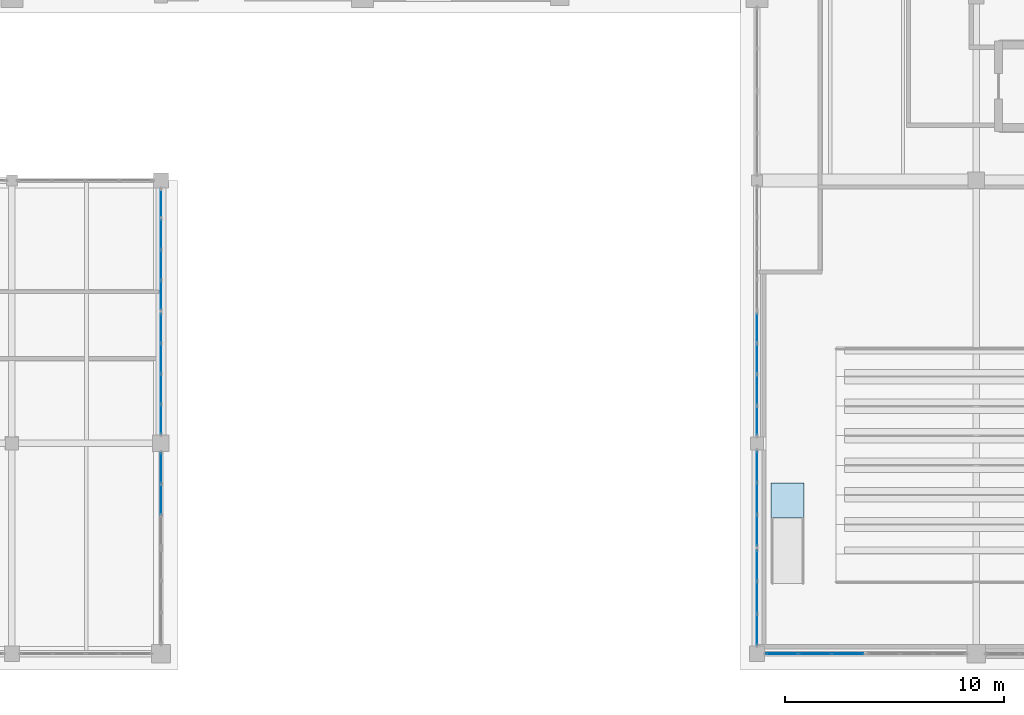
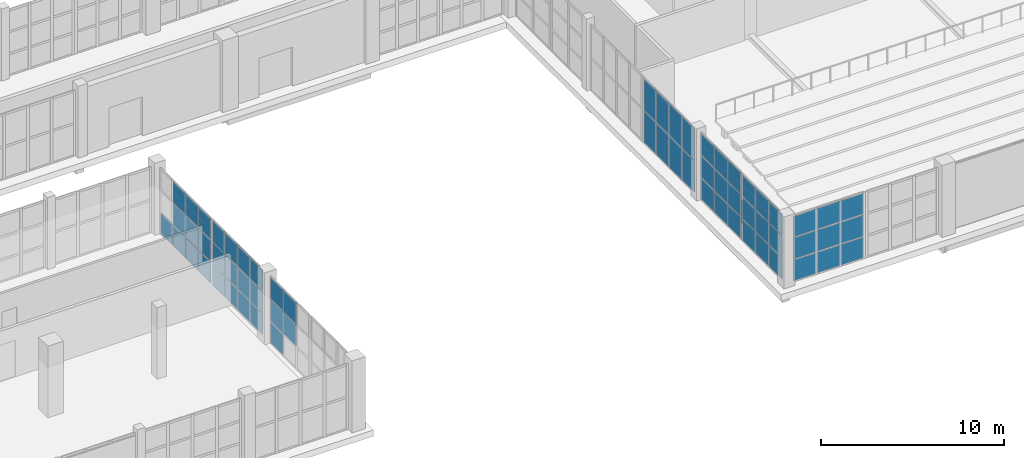
# One storey, part 87 of 121: 62 plates, 1 slab, 8 elements without a shape of their own.
"""IFC4 building model written with IfcOpenShell, lengths in metres."""

from ifc_helpers import new_model, si_unit, direction, frame, origin, origin_2d, place, context, subcontext, project, spatial, polyline, rectangle, outline, extrude, material, layer, layer_set, type_object, element, aggregate, save


model = new_model("IFC4")

# Units and contexts
model_context = context("Model", 3, precision=1e-05, world=origin(), true_north=direction((0.0, 1.0)))
body_context = subcontext(model_context, "Body", "Model", "MODEL_VIEW")
ifc_project = project(units=[si_unit("LENGTHUNIT", "METRE"), si_unit("AREAUNIT", "SQUARE_METRE"), si_unit("VOLUMEUNIT", "CUBIC_METRE"), si_unit("PLANEANGLEUNIT", "RADIAN"), si_unit("MASSUNIT", "GRAM", prefix="KILO")], contexts=[model_context])

# Site, building, storey
site_placement = place(None, origin())
site = spatial("IfcSite", under=ifc_project, at=site_placement, CompositionType="ELEMENT")
building_placement = place(site_placement, origin())
building = spatial("IfcBuilding", under=site, at=building_placement, Name="Zereglee Splitstone Museum", CompositionType="ELEMENT")
storey_placement = place(building_placement, origin())
storey = spatial("IfcBuildingStorey", under=building, at=storey_placement, Name="L00", CompositionType="ELEMENT", Elevation=0.0)

# Curtain wall, plates
ifc_material_1 = material(Name="Triple-glazed low-E argon glass and bronze-anodised aluminium", Category="aluminium")
ifc_layer_1 = layer(ifc_material_1, 0.179931640625)
ifc_layer_set_1 = layer_set([ifc_layer_1], Name="Triple-glazed low-E argon glass and bronze-anodised aluminium")
curtain_wall_type_1 = type_object("IfcCurtainWallType", Name="CW-0435-448", PredefinedType="USERDEFINED", material=ifc_layer_set_1)
curtain_wall_1_placement = place(storey_placement, origin())
curtain_wall_1 = element("IfcCurtainWall", 1, at=curtain_wall_1_placement, inside=storey, type_object=curtain_wall_type_1, Name="Glazed Curtain Wall CW-0435-448 (L00)", ObjectType="GLAZED CURTAIN WALL", PredefinedType="USERDEFINED")
ifc_material_2 = material(Name="Triple low-e argon insulated safety glass", Category="glass")
ifc_layer_2 = layer(ifc_material_2, 0.035888671875)
ifc_layer_set_2 = layer_set([ifc_layer_2], Name="Triple low-e argon insulated safety glass")
plate_type = type_object("IfcPlateType", Name="CWP-01", PredefinedType="CURTAIN_PANEL", material=ifc_layer_set_2)
plate_1_placement = place(storey_placement, frame((228.800048828125, 7.041015625, 1.52587890625), z_axis=(0.0, 0.0, 1.0), x_axis=(0.0, 1.0, 0.0)))
plate_1 = element("IfcPlate", 2, at=plate_1_placement, type_object=plate_type, Name="CW-0435-448 panel 2.2", PredefinedType="CURTAIN_PANEL", context=body_context, shape_type="SweptSolid", body=[
    extrude(rectangle(XDim=1.3857421875, YDim=0.035888671875, at=origin_2d()), origin(), (0.0, 0.0, 1.0), 1.428466796875),
])
plate_2_placement = place(storey_placement, frame((228.800048828125, 7.041015625, 3.01904296875), z_axis=(0.0, 0.0, 1.0), x_axis=(0.0, 1.0, 0.0)))
plate_2 = element("IfcPlate", 3, at=plate_2_placement, type_object=plate_type, Name="CW-0435-448 panel 2.3", PredefinedType="CURTAIN_PANEL", context=body_context, shape_type="SweptSolid", body=[
    extrude(rectangle(XDim=1.3857421875, YDim=0.035888671875, at=origin_2d()), origin(), (0.0, 0.0, 1.0), 1.395751953125),
])
plate_3_placement = place(storey_placement, frame((228.800048828125, 8.475341796875, 0.06494140625), z_axis=(0.0, 0.0, 1.0), x_axis=(0.0, 1.0, 0.0)))
plate_3 = element("IfcPlate", 4, at=plate_3_placement, type_object=plate_type, Name="CW-0435-448 panel 3.1", PredefinedType="CURTAIN_PANEL", context=body_context, shape_type="SweptSolid", body=[
    extrude(rectangle(XDim=1.353271484375, YDim=0.035888671875, at=origin_2d()), origin(), (0.0, 0.0, 1.0), 1.395751953125),
])
plate_4_placement = place(storey_placement, frame((228.800048828125, 8.475341796875, 1.52587890625), z_axis=(0.0, 0.0, 1.0), x_axis=(0.0, 1.0, 0.0)))
plate_4 = element("IfcPlate", 5, at=plate_4_placement, type_object=plate_type, Name="CW-0435-448 panel 3.2", PredefinedType="CURTAIN_PANEL", context=body_context, shape_type="SweptSolid", body=[
    extrude(rectangle(XDim=1.353271484375, YDim=0.035888671875, at=origin_2d()), origin(), (0.0, 0.0, 1.0), 1.428466796875),
])
plate_5_placement = place(storey_placement, frame((228.800048828125, 8.475341796875, 3.01904296875), z_axis=(0.0, 0.0, 1.0), x_axis=(0.0, 1.0, 0.0)))
plate_5 = element("IfcPlate", 6, at=plate_5_placement, type_object=plate_type, Name="CW-0435-448 panel 3.3", PredefinedType="CURTAIN_PANEL", context=body_context, shape_type="SweptSolid", body=[
    extrude(rectangle(XDim=1.353271484375, YDim=0.035888671875, at=origin_2d()), origin(), (0.0, 0.0, 1.0), 1.395751953125),
])
aggregate(curtain_wall_1, [plate_1, plate_2, plate_3, plate_4, plate_5])

ifc_layer_3 = layer(ifc_material_1, 0.179931640625)
ifc_layer_set_3 = layer_set([ifc_layer_3], Name="Triple-glazed low-E argon glass and bronze-anodised aluminium")
curtain_wall_type_2 = type_object("IfcCurtainWallType", Name="CW-0559-444", PredefinedType="USERDEFINED", material=ifc_layer_set_3)
curtain_wall_2_placement = place(storey_placement, origin())
curtain_wall_2 = element("IfcCurtainWall", 7, at=curtain_wall_2_placement, inside=storey, type_object=curtain_wall_type_2, Name="Glazed Curtain Wall CW-0559-444 (L00)", ObjectType="GLAZED CURTAIN WALL", PredefinedType="USERDEFINED")
plate_6_placement = place(storey_placement, frame((228.800048828125, 10.697998046875, 0.06494140625), z_axis=(0.0, 0.0, 1.0), x_axis=(0.0, 1.0, 0.0)))
plate_6 = element("IfcPlate", 8, at=plate_6_placement, type_object=plate_type, Name="CW-0559-444 panel 1.1", PredefinedType="CURTAIN_PANEL", context=body_context, shape_type="SweptSolid", body=[
    extrude(rectangle(XDim=1.2998046875, YDim=0.035888671875, at=origin_2d()), origin(), (0.0, 0.0, 1.0), 1.382568359375),
])
plate_7_placement = place(storey_placement, frame((228.800048828125, 10.697998046875, 1.512451171875), z_axis=(0.0, 0.0, 1.0), x_axis=(0.0, 1.0, 0.0)))
plate_7 = element("IfcPlate", 9, at=plate_7_placement, type_object=plate_type, Name="CW-0559-444 panel 1.2", PredefinedType="CURTAIN_PANEL", context=body_context, shape_type="SweptSolid", body=[
    extrude(rectangle(XDim=1.2998046875, YDim=0.035888671875, at=origin_2d()), origin(), (0.0, 0.0, 1.0), 1.4150390625),
])
plate_8_placement = place(storey_placement, frame((228.800048828125, 10.697998046875, 2.99267578125), z_axis=(0.0, 0.0, 1.0), x_axis=(0.0, 1.0, 0.0)))
plate_8 = element("IfcPlate", 10, at=plate_8_placement, type_object=plate_type, Name="CW-0559-444 panel 1.3", PredefinedType="CURTAIN_PANEL", context=body_context, shape_type="SweptSolid", body=[
    extrude(rectangle(XDim=1.2998046875, YDim=0.035888671875, at=origin_2d()), origin(), (0.0, 0.0, 1.0), 1.382568359375),
])
plate_9_placement = place(storey_placement, frame((228.800048828125, 12.0791015625, 0.06494140625), z_axis=(0.0, 0.0, 1.0), x_axis=(0.0, 1.0, 0.0)))
plate_9 = element("IfcPlate", 11, at=plate_9_placement, type_object=plate_type, Name="CW-0559-444 panel 2.1", PredefinedType="CURTAIN_PANEL", context=body_context, shape_type="SweptSolid", body=[
    extrude(rectangle(XDim=1.332275390625, YDim=0.035888671875, at=origin_2d()), origin(), (0.0, 0.0, 1.0), 1.382568359375),
])
plate_10_placement = place(storey_placement, frame((228.800048828125, 12.0791015625, 1.512451171875), z_axis=(0.0, 0.0, 1.0), x_axis=(0.0, 1.0, 0.0)))
plate_10 = element("IfcPlate", 12, at=plate_10_placement, type_object=plate_type, Name="CW-0559-444 panel 2.2", PredefinedType="CURTAIN_PANEL", context=body_context, shape_type="SweptSolid", body=[
    extrude(rectangle(XDim=1.332275390625, YDim=0.035888671875, at=origin_2d()), origin(), (0.0, 0.0, 1.0), 1.4150390625),
])
plate_11_placement = place(storey_placement, frame((228.800048828125, 12.0791015625, 2.99267578125), z_axis=(0.0, 0.0, 1.0), x_axis=(0.0, 1.0, 0.0)))
plate_11 = element("IfcPlate", 13, at=plate_11_placement, type_object=plate_type, Name="CW-0559-444 panel 2.3", PredefinedType="CURTAIN_PANEL", context=body_context, shape_type="SweptSolid", body=[
    extrude(rectangle(XDim=1.332275390625, YDim=0.035888671875, at=origin_2d()), origin(), (0.0, 0.0, 1.0), 1.382568359375),
])
plate_12_placement = place(storey_placement, frame((228.800048828125, 13.476318359375, 0.06494140625), z_axis=(0.0, 0.0, 1.0), x_axis=(0.0, 1.0, 0.0)))
plate_12 = element("IfcPlate", 14, at=plate_12_placement, type_object=plate_type, Name="CW-0559-444 panel 3.1", PredefinedType="CURTAIN_PANEL", context=body_context, shape_type="SweptSolid", body=[
    extrude(rectangle(XDim=1.332275390625, YDim=0.035888671875, at=origin_2d()), origin(), (0.0, 0.0, 1.0), 1.382568359375),
])
plate_13_placement = place(storey_placement, frame((228.800048828125, 13.476318359375, 1.512451171875), z_axis=(0.0, 0.0, 1.0), x_axis=(0.0, 1.0, 0.0)))
plate_13 = element("IfcPlate", 15, at=plate_13_placement, type_object=plate_type, Name="CW-0559-444 panel 3.2", PredefinedType="CURTAIN_PANEL", context=body_context, shape_type="SweptSolid", body=[
    extrude(rectangle(XDim=1.332275390625, YDim=0.035888671875, at=origin_2d()), origin(), (0.0, 0.0, 1.0), 1.4150390625),
])
plate_14_placement = place(storey_placement, frame((228.800048828125, 13.476318359375, 2.99267578125), z_axis=(0.0, 0.0, 1.0), x_axis=(0.0, 1.0, 0.0)))
plate_14 = element("IfcPlate", 16, at=plate_14_placement, type_object=plate_type, Name="CW-0559-444 panel 3.3", PredefinedType="CURTAIN_PANEL", context=body_context, shape_type="SweptSolid", body=[
    extrude(rectangle(XDim=1.332275390625, YDim=0.035888671875, at=origin_2d()), origin(), (0.0, 0.0, 1.0), 1.382568359375),
])
plate_15_placement = place(storey_placement, frame((228.800048828125, 14.857666015625, 0.06494140625), z_axis=(0.0, 0.0, 1.0), x_axis=(0.0, 1.0, 0.0)))
plate_15 = element("IfcPlate", 17, at=plate_15_placement, type_object=plate_type, Name="CW-0559-444 panel 4.1", PredefinedType="CURTAIN_PANEL", context=body_context, shape_type="SweptSolid", body=[
    extrude(rectangle(XDim=1.2998046875, YDim=0.035888671875, at=origin_2d()), origin(), (0.0, 0.0, 1.0), 1.382568359375),
])
plate_16_placement = place(storey_placement, frame((228.800048828125, 14.857666015625, 1.512451171875), z_axis=(0.0, 0.0, 1.0), x_axis=(0.0, 1.0, 0.0)))
plate_16 = element("IfcPlate", 18, at=plate_16_placement, type_object=plate_type, Name="CW-0559-444 panel 4.2", PredefinedType="CURTAIN_PANEL", context=body_context, shape_type="SweptSolid", body=[
    extrude(rectangle(XDim=1.2998046875, YDim=0.035888671875, at=origin_2d()), origin(), (0.0, 0.0, 1.0), 1.4150390625),
])
plate_17_placement = place(storey_placement, frame((228.800048828125, 14.857666015625, 2.99267578125), z_axis=(0.0, 0.0, 1.0), x_axis=(0.0, 1.0, 0.0)))
plate_17 = element("IfcPlate", 19, at=plate_17_placement, type_object=plate_type, Name="CW-0559-444 panel 4.3", PredefinedType="CURTAIN_PANEL", context=body_context, shape_type="SweptSolid", body=[
    extrude(rectangle(XDim=1.2998046875, YDim=0.035888671875, at=origin_2d()), origin(), (0.0, 0.0, 1.0), 1.382568359375),
])
aggregate(curtain_wall_2, [plate_6, plate_7, plate_8, plate_9, plate_10, plate_11, plate_12, plate_13, plate_14, plate_15, plate_16, plate_17])

ifc_layer_4 = layer(ifc_material_1, 0.179931640625)
ifc_layer_set_4 = layer_set([ifc_layer_4], Name="Triple-glazed low-E argon glass and bronze-anodised aluminium")
curtain_wall_type_3 = type_object("IfcCurtainWallType", Name="CW-0559-442", PredefinedType="USERDEFINED", material=ifc_layer_set_4)
curtain_wall_3_placement = place(storey_placement, origin())
curtain_wall_3 = element("IfcCurtainWall", 20, at=curtain_wall_3_placement, inside=storey, type_object=curtain_wall_type_3, Name="Glazed Curtain Wall CW-0559-442 (L00)", ObjectType="GLAZED CURTAIN WALL", PredefinedType="USERDEFINED")
plate_18_placement = place(storey_placement, frame((228.800048828125, 16.367431640625, 0.06494140625), z_axis=(0.0, 0.0, 1.0), x_axis=(0.0, 1.0, 0.0)))
plate_18 = element("IfcPlate", 21, at=plate_18_placement, type_object=plate_type, Name="CW-0559-442 panel 1.1", PredefinedType="CURTAIN_PANEL", context=body_context, shape_type="SweptSolid", body=[
    extrude(rectangle(XDim=1.2998046875, YDim=0.035888671875, at=origin_2d()), origin(), (0.0, 0.0, 1.0), 1.375732421875),
])
plate_19_placement = place(storey_placement, frame((228.800048828125, 16.367431640625, 1.505859375), z_axis=(0.0, 0.0, 1.0), x_axis=(0.0, 1.0, 0.0)))
plate_19 = element("IfcPlate", 22, at=plate_19_placement, type_object=plate_type, Name="CW-0559-442 panel 1.2", PredefinedType="CURTAIN_PANEL", context=body_context, shape_type="SweptSolid", body=[
    extrude(rectangle(XDim=1.2998046875, YDim=0.035888671875, at=origin_2d()), origin(), (0.0, 0.0, 1.0), 1.408447265625),
])
plate_20_placement = place(storey_placement, frame((228.800048828125, 16.367431640625, 2.97900390625), z_axis=(0.0, 0.0, 1.0), x_axis=(0.0, 1.0, 0.0)))
plate_20 = element("IfcPlate", 23, at=plate_20_placement, type_object=plate_type, Name="CW-0559-442 panel 1.3", PredefinedType="CURTAIN_PANEL", context=body_context, shape_type="SweptSolid", body=[
    extrude(rectangle(XDim=1.2998046875, YDim=0.035888671875, at=origin_2d()), origin(), (0.0, 0.0, 1.0), 1.375732421875),
])
plate_21_placement = place(storey_placement, frame((228.800048828125, 17.74853515625, 0.06494140625), z_axis=(0.0, 0.0, 1.0), x_axis=(0.0, 1.0, 0.0)))
plate_21 = element("IfcPlate", 24, at=plate_21_placement, type_object=plate_type, Name="CW-0559-442 panel 2.1", PredefinedType="CURTAIN_PANEL", context=body_context, shape_type="SweptSolid", body=[
    extrude(rectangle(XDim=1.332275390625, YDim=0.035888671875, at=origin_2d()), origin(), (0.0, 0.0, 1.0), 1.375732421875),
])
plate_22_placement = place(storey_placement, frame((228.800048828125, 17.74853515625, 1.505859375), z_axis=(0.0, 0.0, 1.0), x_axis=(0.0, 1.0, 0.0)))
plate_22 = element("IfcPlate", 25, at=plate_22_placement, type_object=plate_type, Name="CW-0559-442 panel 2.2", PredefinedType="CURTAIN_PANEL", context=body_context, shape_type="SweptSolid", body=[
    extrude(rectangle(XDim=1.332275390625, YDim=0.035888671875, at=origin_2d()), origin(), (0.0, 0.0, 1.0), 1.408447265625),
])
plate_23_placement = place(storey_placement, frame((228.800048828125, 17.74853515625, 2.97900390625), z_axis=(0.0, 0.0, 1.0), x_axis=(0.0, 1.0, 0.0)))
plate_23 = element("IfcPlate", 26, at=plate_23_placement, type_object=plate_type, Name="CW-0559-442 panel 2.3", PredefinedType="CURTAIN_PANEL", context=body_context, shape_type="SweptSolid", body=[
    extrude(rectangle(XDim=1.332275390625, YDim=0.035888671875, at=origin_2d()), origin(), (0.0, 0.0, 1.0), 1.375732421875),
])
plate_24_placement = place(storey_placement, frame((228.800048828125, 19.14599609375, 0.06494140625), z_axis=(0.0, 0.0, 1.0), x_axis=(0.0, 1.0, 0.0)))
plate_24 = element("IfcPlate", 27, at=plate_24_placement, type_object=plate_type, Name="CW-0559-442 panel 3.1", PredefinedType="CURTAIN_PANEL", context=body_context, shape_type="SweptSolid", body=[
    extrude(rectangle(XDim=1.332275390625, YDim=0.035888671875, at=origin_2d()), origin(), (0.0, 0.0, 1.0), 1.375732421875),
])
plate_25_placement = place(storey_placement, frame((228.800048828125, 19.14599609375, 1.505859375), z_axis=(0.0, 0.0, 1.0), x_axis=(0.0, 1.0, 0.0)))
plate_25 = element("IfcPlate", 28, at=plate_25_placement, type_object=plate_type, Name="CW-0559-442 panel 3.2", PredefinedType="CURTAIN_PANEL", context=body_context, shape_type="SweptSolid", body=[
    extrude(rectangle(XDim=1.332275390625, YDim=0.035888671875, at=origin_2d()), origin(), (0.0, 0.0, 1.0), 1.408447265625),
])
plate_26_placement = place(storey_placement, frame((228.800048828125, 19.14599609375, 2.97900390625), z_axis=(0.0, 0.0, 1.0), x_axis=(0.0, 1.0, 0.0)))
plate_26 = element("IfcPlate", 29, at=plate_26_placement, type_object=plate_type, Name="CW-0559-442 panel 3.3", PredefinedType="CURTAIN_PANEL", context=body_context, shape_type="SweptSolid", body=[
    extrude(rectangle(XDim=1.332275390625, YDim=0.035888671875, at=origin_2d()), origin(), (0.0, 0.0, 1.0), 1.375732421875),
])
plate_27_placement = place(storey_placement, frame((228.800048828125, 20.527099609375, 0.06494140625), z_axis=(0.0, 0.0, 1.0), x_axis=(0.0, 1.0, 0.0)))
plate_27 = element("IfcPlate", 30, at=plate_27_placement, type_object=plate_type, Name="CW-0559-442 panel 4.1", PredefinedType="CURTAIN_PANEL", context=body_context, shape_type="SweptSolid", body=[
    extrude(rectangle(XDim=1.2998046875, YDim=0.035888671875, at=origin_2d()), origin(), (0.0, 0.0, 1.0), 1.375732421875),
])
aggregate(curtain_wall_3, [plate_18, plate_19, plate_20, plate_21, plate_22, plate_23, plate_24, plate_25, plate_26, plate_27])

ifc_layer_5 = layer(ifc_material_1, 0.179931640625)
ifc_layer_set_5 = layer_set([ifc_layer_5], Name="Triple-glazed low-E argon glass and bronze-anodised aluminium")
curtain_wall_type_4 = type_object("IfcCurtainWallType", Name="CW-0568-436", PredefinedType="USERDEFINED", material=ifc_layer_set_5)
curtain_wall_4_placement = place(storey_placement, origin())
curtain_wall_4 = element("IfcCurtainWall", 31, at=curtain_wall_4_placement, inside=storey, type_object=curtain_wall_type_4, Name="Glazed Curtain Wall CW-0568-436 (L00)", ObjectType="GLAZED CURTAIN WALL", PredefinedType="USERDEFINED")
plate_28_placement = place(storey_placement, frame((256.0, 14.859130859375, 0.06494140625), z_axis=(0.0, 0.0, 1.0), x_axis=(0.0, -1.0, 0.0)))
plate_28 = element("IfcPlate", 32, at=plate_28_placement, type_object=plate_type, Name="CW-0568-436 panel 1.1", PredefinedType="CURTAIN_PANEL", context=body_context, shape_type="SweptSolid", body=[
    extrude(rectangle(XDim=1.32177734375, YDim=0.035888671875, at=origin_2d()), origin(), (0.0, 0.0, 1.0), 2.08251953125),
])
plate_29_placement = place(storey_placement, frame((256.0, 14.859130859375, 2.21240234375), z_axis=(0.0, 0.0, 1.0), x_axis=(0.0, -1.0, 0.0)))
plate_29 = element("IfcPlate", 33, at=plate_29_placement, type_object=plate_type, Name="CW-0568-436 panel 1.2", PredefinedType="CURTAIN_PANEL", context=body_context, shape_type="SweptSolid", body=[
    extrude(rectangle(XDim=1.32177734375, YDim=0.035888671875, at=origin_2d()), origin(), (0.0, 0.0, 1.0), 2.08251953125),
])
plate_30_placement = place(storey_placement, frame((256.0, 13.4560546875, 0.06494140625), z_axis=(0.0, 0.0, 1.0), x_axis=(0.0, -1.0, 0.0)))
plate_30 = element("IfcPlate", 34, at=plate_30_placement, type_object=plate_type, Name="CW-0568-436 panel 2.1", PredefinedType="CURTAIN_PANEL", context=body_context, shape_type="SweptSolid", body=[
    extrude(rectangle(XDim=1.354248046875, YDim=0.035888671875, at=origin_2d()), origin(), (0.0, 0.0, 1.0), 2.08251953125),
])
plate_31_placement = place(storey_placement, frame((256.0, 13.4560546875, 2.21240234375), z_axis=(0.0, 0.0, 1.0), x_axis=(0.0, -1.0, 0.0)))
plate_31 = element("IfcPlate", 35, at=plate_31_placement, type_object=plate_type, Name="CW-0568-436 panel 2.2", PredefinedType="CURTAIN_PANEL", context=body_context, shape_type="SweptSolid", body=[
    extrude(rectangle(XDim=1.354248046875, YDim=0.035888671875, at=origin_2d()), origin(), (0.0, 0.0, 1.0), 2.08251953125),
])
plate_32_placement = place(storey_placement, frame((256.0, 12.036865234375, 0.06494140625), z_axis=(0.0, 0.0, 1.0), x_axis=(0.0, -1.0, 0.0)))
plate_32 = element("IfcPlate", 36, at=plate_32_placement, type_object=plate_type, Name="CW-0568-436 panel 3.1", PredefinedType="CURTAIN_PANEL", context=body_context, shape_type="SweptSolid", body=[
    extrude(rectangle(XDim=1.354248046875, YDim=0.035888671875, at=origin_2d()), origin(), (0.0, 0.0, 1.0), 2.08251953125),
])
plate_33_placement = place(storey_placement, frame((256.0, 12.036865234375, 2.21240234375), z_axis=(0.0, 0.0, 1.0), x_axis=(0.0, -1.0, 0.0)))
plate_33 = element("IfcPlate", 37, at=plate_33_placement, type_object=plate_type, Name="CW-0568-436 panel 3.2", PredefinedType="CURTAIN_PANEL", context=body_context, shape_type="SweptSolid", body=[
    extrude(rectangle(XDim=1.354248046875, YDim=0.035888671875, at=origin_2d()), origin(), (0.0, 0.0, 1.0), 2.08251953125),
])
plate_34_placement = place(storey_placement, frame((256.0, 10.6337890625, 0.06494140625), z_axis=(0.0, 0.0, 1.0), x_axis=(0.0, -1.0, 0.0)))
plate_34 = element("IfcPlate", 38, at=plate_34_placement, type_object=plate_type, Name="CW-0568-436 panel 4.1", PredefinedType="CURTAIN_PANEL", context=body_context, shape_type="SweptSolid", body=[
    extrude(rectangle(XDim=1.32177734375, YDim=0.035888671875, at=origin_2d()), origin(), (0.0, 0.0, 1.0), 2.08251953125),
])
plate_35_placement = place(storey_placement, frame((256.0, 10.6337890625, 2.21240234375), z_axis=(0.0, 0.0, 1.0), x_axis=(0.0, -1.0, 0.0)))
plate_35 = element("IfcPlate", 39, at=plate_35_placement, type_object=plate_type, Name="CW-0568-436 panel 4.2", PredefinedType="CURTAIN_PANEL", context=body_context, shape_type="SweptSolid", body=[
    extrude(rectangle(XDim=1.32177734375, YDim=0.035888671875, at=origin_2d()), origin(), (0.0, 0.0, 1.0), 2.08251953125),
])
aggregate(curtain_wall_4, [plate_28, plate_29, plate_30, plate_31, plate_32, plate_33, plate_34, plate_35])

ifc_layer_6 = layer(ifc_material_1, 0.179931640625)
ifc_layer_set_6 = layer_set([ifc_layer_6], Name="Triple-glazed low-E argon glass and bronze-anodised aluminium")
curtain_wall_type_5 = type_object("IfcCurtainWallType", Name="CW-0443-450", PredefinedType="USERDEFINED", material=ifc_layer_set_6)
curtain_wall_5_placement = place(storey_placement, origin())
curtain_wall_5 = element("IfcCurtainWall", 40, at=curtain_wall_5_placement, inside=storey, type_object=curtain_wall_type_5, Name="Glazed Curtain Wall CW-0443-450 (L00)", ObjectType="GLAZED CURTAIN WALL", PredefinedType="USERDEFINED")
plate_36_placement = place(storey_placement, frame((256.0, 8.537841796875, 0.06494140625), z_axis=(0.0, 0.0, 1.0), x_axis=(0.0, -1.0, 0.0)))
plate_36 = element("IfcPlate", 41, at=plate_36_placement, type_object=plate_type, Name="CW-0443-450 panel 1.1", PredefinedType="CURTAIN_PANEL", context=body_context, shape_type="SweptSolid", body=[
    extrude(rectangle(XDim=1.378173828125, YDim=0.035888671875, at=origin_2d()), origin(), (0.0, 0.0, 1.0), 1.402587890625),
])
plate_37_placement = place(storey_placement, frame((256.0, 8.537841796875, 1.532470703125), z_axis=(0.0, 0.0, 1.0), x_axis=(0.0, -1.0, 0.0)))
plate_37 = element("IfcPlate", 42, at=plate_37_placement, type_object=plate_type, Name="CW-0443-450 panel 1.2", PredefinedType="CURTAIN_PANEL", context=body_context, shape_type="SweptSolid", body=[
    extrude(rectangle(XDim=1.378173828125, YDim=0.035888671875, at=origin_2d()), origin(), (0.0, 0.0, 1.0), 1.43505859375),
])
plate_38_placement = place(storey_placement, frame((256.0, 8.537841796875, 3.0322265625), z_axis=(0.0, 0.0, 1.0), x_axis=(0.0, -1.0, 0.0)))
plate_38 = element("IfcPlate", 43, at=plate_38_placement, type_object=plate_type, Name="CW-0443-450 panel 1.3", PredefinedType="CURTAIN_PANEL", context=body_context, shape_type="SweptSolid", body=[
    extrude(rectangle(XDim=1.378173828125, YDim=0.035888671875, at=origin_2d()), origin(), (0.0, 0.0, 1.0), 1.402587890625),
])
plate_39_placement = place(storey_placement, frame((256.0, 7.07861328125, 0.06494140625), z_axis=(0.0, 0.0, 1.0), x_axis=(0.0, -1.0, 0.0)))
plate_39 = element("IfcPlate", 44, at=plate_39_placement, type_object=plate_type, Name="CW-0443-450 panel 2.1", PredefinedType="CURTAIN_PANEL", context=body_context, shape_type="SweptSolid", body=[
    extrude(rectangle(XDim=1.41064453125, YDim=0.035888671875, at=origin_2d()), origin(), (0.0, 0.0, 1.0), 1.402587890625),
])
plate_40_placement = place(storey_placement, frame((256.0, 7.07861328125, 1.532470703125), z_axis=(0.0, 0.0, 1.0), x_axis=(0.0, -1.0, 0.0)))
plate_40 = element("IfcPlate", 45, at=plate_40_placement, type_object=plate_type, Name="CW-0443-450 panel 2.2", PredefinedType="CURTAIN_PANEL", context=body_context, shape_type="SweptSolid", body=[
    extrude(rectangle(XDim=1.41064453125, YDim=0.035888671875, at=origin_2d()), origin(), (0.0, 0.0, 1.0), 1.43505859375),
])
plate_41_placement = place(storey_placement, frame((256.0, 7.07861328125, 3.0322265625), z_axis=(0.0, 0.0, 1.0), x_axis=(0.0, -1.0, 0.0)))
plate_41 = element("IfcPlate", 46, at=plate_41_placement, type_object=plate_type, Name="CW-0443-450 panel 2.3", PredefinedType="CURTAIN_PANEL", context=body_context, shape_type="SweptSolid", body=[
    extrude(rectangle(XDim=1.41064453125, YDim=0.035888671875, at=origin_2d()), origin(), (0.0, 0.0, 1.0), 1.402587890625),
])
plate_42_placement = place(storey_placement, frame((256.0, 5.619140625, 0.06494140625), z_axis=(0.0, 0.0, 1.0), x_axis=(0.0, -1.0, 0.0)))
plate_42 = element("IfcPlate", 47, at=plate_42_placement, type_object=plate_type, Name="CW-0443-450 panel 3.1", PredefinedType="CURTAIN_PANEL", context=body_context, shape_type="SweptSolid", body=[
    extrude(rectangle(XDim=1.378173828125, YDim=0.035888671875, at=origin_2d()), origin(), (0.0, 0.0, 1.0), 1.402587890625),
])
plate_43_placement = place(storey_placement, frame((256.0, 5.619140625, 1.532470703125), z_axis=(0.0, 0.0, 1.0), x_axis=(0.0, -1.0, 0.0)))
plate_43 = element("IfcPlate", 48, at=plate_43_placement, type_object=plate_type, Name="CW-0443-450 panel 3.2", PredefinedType="CURTAIN_PANEL", context=body_context, shape_type="SweptSolid", body=[
    extrude(rectangle(XDim=1.378173828125, YDim=0.035888671875, at=origin_2d()), origin(), (0.0, 0.0, 1.0), 1.43505859375),
])
plate_44_placement = place(storey_placement, frame((256.0, 5.619140625, 3.0322265625), z_axis=(0.0, 0.0, 1.0), x_axis=(0.0, -1.0, 0.0)))
plate_44 = element("IfcPlate", 49, at=plate_44_placement, type_object=plate_type, Name="CW-0443-450 panel 3.3", PredefinedType="CURTAIN_PANEL", context=body_context, shape_type="SweptSolid", body=[
    extrude(rectangle(XDim=1.378173828125, YDim=0.035888671875, at=origin_2d()), origin(), (0.0, 0.0, 1.0), 1.402587890625),
])
aggregate(curtain_wall_5, [plate_36, plate_37, plate_38, plate_39, plate_40, plate_41, plate_42, plate_43, plate_44])

ifc_layer_7 = layer(ifc_material_1, 0.179931640625)
ifc_layer_set_7 = layer_set([ifc_layer_7], Name="Triple-glazed low-E argon glass and bronze-anodised aluminium")
curtain_wall_type_6 = type_object("IfcCurtainWallType", Name="CW-0443-448", PredefinedType="USERDEFINED", material=ifc_layer_set_7)
curtain_wall_6_placement = place(storey_placement, origin())
curtain_wall_6 = element("IfcCurtainWall", 50, at=curtain_wall_6_placement, inside=storey, type_object=curtain_wall_type_6, Name="Glazed Curtain Wall CW-0443-448 (L00)", ObjectType="GLAZED CURTAIN WALL", PredefinedType="USERDEFINED")
plate_45_placement = place(storey_placement, frame((256.0, 4.031005859375, 0.06494140625), z_axis=(0.0, 0.0, 1.0), x_axis=(0.0, -1.0, 0.0)))
plate_45 = element("IfcPlate", 51, at=plate_45_placement, type_object=plate_type, Name="CW-0443-448 panel 1.1", PredefinedType="CURTAIN_PANEL", context=body_context, shape_type="SweptSolid", body=[
    extrude(rectangle(XDim=1.378173828125, YDim=0.035888671875, at=origin_2d()), origin(), (0.0, 0.0, 1.0), 1.395751953125),
])
plate_46_placement = place(storey_placement, frame((256.0, 4.031005859375, 1.52587890625), z_axis=(0.0, 0.0, 1.0), x_axis=(0.0, -1.0, 0.0)))
plate_46 = element("IfcPlate", 52, at=plate_46_placement, type_object=plate_type, Name="CW-0443-448 panel 1.2", PredefinedType="CURTAIN_PANEL", context=body_context, shape_type="SweptSolid", body=[
    extrude(rectangle(XDim=1.378173828125, YDim=0.035888671875, at=origin_2d()), origin(), (0.0, 0.0, 1.0), 1.428466796875),
])
plate_47_placement = place(storey_placement, frame((256.0, 4.031005859375, 3.01904296875), z_axis=(0.0, 0.0, 1.0), x_axis=(0.0, -1.0, 0.0)))
plate_47 = element("IfcPlate", 53, at=plate_47_placement, type_object=plate_type, Name="CW-0443-448 panel 1.3", PredefinedType="CURTAIN_PANEL", context=body_context, shape_type="SweptSolid", body=[
    extrude(rectangle(XDim=1.378173828125, YDim=0.035888671875, at=origin_2d()), origin(), (0.0, 0.0, 1.0), 1.395751953125),
])
plate_48_placement = place(storey_placement, frame((256.0, 2.571533203125, 0.06494140625), z_axis=(0.0, 0.0, 1.0), x_axis=(0.0, -1.0, 0.0)))
plate_48 = element("IfcPlate", 54, at=plate_48_placement, type_object=plate_type, Name="CW-0443-448 panel 2.1", PredefinedType="CURTAIN_PANEL", context=body_context, shape_type="SweptSolid", body=[
    extrude(rectangle(XDim=1.41064453125, YDim=0.035888671875, at=origin_2d()), origin(), (0.0, 0.0, 1.0), 1.395751953125),
])
plate_49_placement = place(storey_placement, frame((256.0, 2.571533203125, 1.52587890625), z_axis=(0.0, 0.0, 1.0), x_axis=(0.0, -1.0, 0.0)))
plate_49 = element("IfcPlate", 55, at=plate_49_placement, type_object=plate_type, Name="CW-0443-448 panel 2.2", PredefinedType="CURTAIN_PANEL", context=body_context, shape_type="SweptSolid", body=[
    extrude(rectangle(XDim=1.41064453125, YDim=0.035888671875, at=origin_2d()), origin(), (0.0, 0.0, 1.0), 1.428466796875),
])
plate_50_placement = place(storey_placement, frame((256.0, 2.571533203125, 3.01904296875), z_axis=(0.0, 0.0, 1.0), x_axis=(0.0, -1.0, 0.0)))
plate_50 = element("IfcPlate", 56, at=plate_50_placement, type_object=plate_type, Name="CW-0443-448 panel 2.3", PredefinedType="CURTAIN_PANEL", context=body_context, shape_type="SweptSolid", body=[
    extrude(rectangle(XDim=1.41064453125, YDim=0.035888671875, at=origin_2d()), origin(), (0.0, 0.0, 1.0), 1.395751953125),
])
plate_51_placement = place(storey_placement, frame((256.0, 1.112060546875, 0.06494140625), z_axis=(0.0, 0.0, 1.0), x_axis=(0.0, -1.0, 0.0)))
plate_51 = element("IfcPlate", 57, at=plate_51_placement, type_object=plate_type, Name="CW-0443-448 panel 3.1", PredefinedType="CURTAIN_PANEL", context=body_context, shape_type="SweptSolid", body=[
    extrude(rectangle(XDim=1.378173828125, YDim=0.035888671875, at=origin_2d()), origin(), (0.0, 0.0, 1.0), 1.395751953125),
])
plate_52_placement = place(storey_placement, frame((256.0, 1.112060546875, 1.52587890625), z_axis=(0.0, 0.0, 1.0), x_axis=(0.0, -1.0, 0.0)))
plate_52 = element("IfcPlate", 58, at=plate_52_placement, type_object=plate_type, Name="CW-0443-448 panel 3.2", PredefinedType="CURTAIN_PANEL", context=body_context, shape_type="SweptSolid", body=[
    extrude(rectangle(XDim=1.378173828125, YDim=0.035888671875, at=origin_2d()), origin(), (0.0, 0.0, 1.0), 1.428466796875),
])
plate_53_placement = place(storey_placement, frame((256.0, 1.112060546875, 3.01904296875), z_axis=(0.0, 0.0, 1.0), x_axis=(0.0, -1.0, 0.0)))
plate_53 = element("IfcPlate", 59, at=plate_53_placement, type_object=plate_type, Name="CW-0443-448 panel 3.3", PredefinedType="CURTAIN_PANEL", context=body_context, shape_type="SweptSolid", body=[
    extrude(rectangle(XDim=1.378173828125, YDim=0.035888671875, at=origin_2d()), origin(), (0.0, 0.0, 1.0), 1.395751953125),
])
aggregate(curtain_wall_6, [plate_45, plate_46, plate_47, plate_48, plate_49, plate_50, plate_51, plate_52, plate_53])

ifc_layer_8 = layer(ifc_material_1, 0.179931640625)
ifc_layer_set_8 = layer_set([ifc_layer_8], Name="Triple-glazed low-E argon glass and bronze-anodised aluminium")
curtain_wall_type_7 = type_object("IfcCurtainWallType", Name="CW-0456-444", PredefinedType="USERDEFINED", material=ifc_layer_set_8)
curtain_wall_7_placement = place(storey_placement, origin())
curtain_wall_7 = element("IfcCurtainWall", 60, at=curtain_wall_7_placement, inside=storey, type_object=curtain_wall_type_7, Name="Glazed Curtain Wall CW-0456-444 (L00)", ObjectType="GLAZED CURTAIN WALL", PredefinedType="USERDEFINED")
plate_54_placement = place(storey_placement, frame((257.135009765625, 0.0, 0.06494140625), z_axis=(0.0, 0.0, 1.0), x_axis=(1.0, 0.0, 0.0)))
plate_54 = element("IfcPlate", 61, at=plate_54_placement, type_object=plate_type, Name="CW-0456-444 panel 1.1", PredefinedType="CURTAIN_PANEL", context=body_context, shape_type="SweptSolid", body=[
    extrude(rectangle(XDim=1.424072265625, YDim=0.035888671875, at=origin_2d()), origin(), (0.0, 0.0, 1.0), 1.382568359375),
])
plate_55_placement = place(storey_placement, frame((257.135009765625, 0.0, 1.512451171875), z_axis=(0.0, 0.0, 1.0), x_axis=(1.0, 0.0, 0.0)))
plate_55 = element("IfcPlate", 62, at=plate_55_placement, type_object=plate_type, Name="CW-0456-444 panel 1.2", PredefinedType="CURTAIN_PANEL", context=body_context, shape_type="SweptSolid", body=[
    extrude(rectangle(XDim=1.424072265625, YDim=0.035888671875, at=origin_2d()), origin(), (0.0, 0.0, 1.0), 1.4150390625),
])
plate_56_placement = place(storey_placement, frame((257.135009765625, 0.0, 2.99267578125), z_axis=(0.0, 0.0, 1.0), x_axis=(1.0, 0.0, 0.0)))
plate_56 = element("IfcPlate", 63, at=plate_56_placement, type_object=plate_type, Name="CW-0456-444 panel 1.3", PredefinedType="CURTAIN_PANEL", context=body_context, shape_type="SweptSolid", body=[
    extrude(rectangle(XDim=1.424072265625, YDim=0.035888671875, at=origin_2d()), origin(), (0.0, 0.0, 1.0), 1.382568359375),
])
plate_57_placement = place(storey_placement, frame((258.64013671875, 0.0, 0.06494140625), z_axis=(0.0, 0.0, 1.0), x_axis=(1.0, 0.0, 0.0)))
plate_57 = element("IfcPlate", 64, at=plate_57_placement, type_object=plate_type, Name="CW-0456-444 panel 2.1", PredefinedType="CURTAIN_PANEL", context=body_context, shape_type="SweptSolid", body=[
    extrude(rectangle(XDim=1.45654296875, YDim=0.035888671875, at=origin_2d()), origin(), (0.0, 0.0, 1.0), 1.382568359375),
])
plate_58_placement = place(storey_placement, frame((258.64013671875, 0.0, 1.512451171875), z_axis=(0.0, 0.0, 1.0), x_axis=(1.0, 0.0, 0.0)))
plate_58 = element("IfcPlate", 65, at=plate_58_placement, type_object=plate_type, Name="CW-0456-444 panel 2.2", PredefinedType="CURTAIN_PANEL", context=body_context, shape_type="SweptSolid", body=[
    extrude(rectangle(XDim=1.45654296875, YDim=0.035888671875, at=origin_2d()), origin(), (0.0, 0.0, 1.0), 1.4150390625),
])
plate_59_placement = place(storey_placement, frame((258.64013671875, 0.0, 2.99267578125), z_axis=(0.0, 0.0, 1.0), x_axis=(1.0, 0.0, 0.0)))
plate_59 = element("IfcPlate", 66, at=plate_59_placement, type_object=plate_type, Name="CW-0456-444 panel 2.3", PredefinedType="CURTAIN_PANEL", context=body_context, shape_type="SweptSolid", body=[
    extrude(rectangle(XDim=1.45654296875, YDim=0.035888671875, at=origin_2d()), origin(), (0.0, 0.0, 1.0), 1.382568359375),
])
plate_60_placement = place(storey_placement, frame((260.1455078125, 0.0, 0.06494140625), z_axis=(0.0, 0.0, 1.0), x_axis=(1.0, 0.0, 0.0)))
plate_60 = element("IfcPlate", 67, at=plate_60_placement, type_object=plate_type, Name="CW-0456-444 panel 3.1", PredefinedType="CURTAIN_PANEL", context=body_context, shape_type="SweptSolid", body=[
    extrude(rectangle(XDim=1.424072265625, YDim=0.035888671875, at=origin_2d()), origin(), (0.0, 0.0, 1.0), 1.382568359375),
])
plate_61_placement = place(storey_placement, frame((260.1455078125, 0.0, 1.512451171875), z_axis=(0.0, 0.0, 1.0), x_axis=(1.0, 0.0, 0.0)))
plate_61 = element("IfcPlate", 68, at=plate_61_placement, type_object=plate_type, Name="CW-0456-444 panel 3.2", PredefinedType="CURTAIN_PANEL", context=body_context, shape_type="SweptSolid", body=[
    extrude(rectangle(XDim=1.424072265625, YDim=0.035888671875, at=origin_2d()), origin(), (0.0, 0.0, 1.0), 1.4150390625),
])
plate_62_placement = place(storey_placement, frame((260.1455078125, 0.0, 2.99267578125), z_axis=(0.0, 0.0, 1.0), x_axis=(1.0, 0.0, 0.0)))
plate_62 = element("IfcPlate", 69, at=plate_62_placement, type_object=plate_type, Name="CW-0456-444 panel 3.3", PredefinedType="CURTAIN_PANEL", context=body_context, shape_type="SweptSolid", body=[
    extrude(rectangle(XDim=1.424072265625, YDim=0.035888671875, at=origin_2d()), origin(), (0.0, 0.0, 1.0), 1.382568359375),
])
aggregate(curtain_wall_7, [plate_54, plate_55, plate_56, plate_57, plate_58, plate_59, plate_60, plate_61, plate_62])

# Ramp, slab
ifc_material_3 = material(Name="Concrete C35/45", Category="concrete")
ramp_type = type_object("IfcRampType", Name="RMP-01", PredefinedType="STRAIGHT_RUN_RAMP", material=ifc_material_3)
ramp_placement = place(storey_placement, origin())
ramp = element("IfcRamp", 70, at=ramp_placement, inside=storey, type_object=ramp_type, Name="Auditorium Vomitory Ramp VR-1", PredefinedType="STRAIGHT_RUN_RAMP")
ifc_layer_9 = layer(ifc_material_3, 0.25)
ifc_layer_set_9 = layer_set([ifc_layer_9], Name="Concrete C35/45")
slab_type = type_object("IfcSlabType", Name="LS-01", PredefinedType="LANDING", material=ifc_layer_set_9)
slab_placement = place(storey_placement, origin())
slab = element("IfcSlab", 71, at=slab_placement, type_object=slab_type, Name="Auditorium Vomitory Ramp VR-1 Arrival Landing", PredefinedType="LANDING", context=body_context, shape_type="SweptSolid", body=[
    extrude(outline(polyline([(256.64990234375, 6.199951171875), (258.14990234375, 6.199951171875), (258.14990234375, 7.800048828125), (256.64990234375, 7.800048828125), (256.64990234375, 6.199951171875)])), origin(), (0.0, 0.0, 1.0), 0.25),
])
aggregate(ramp, [slab])

save(model, "model.ifc")
